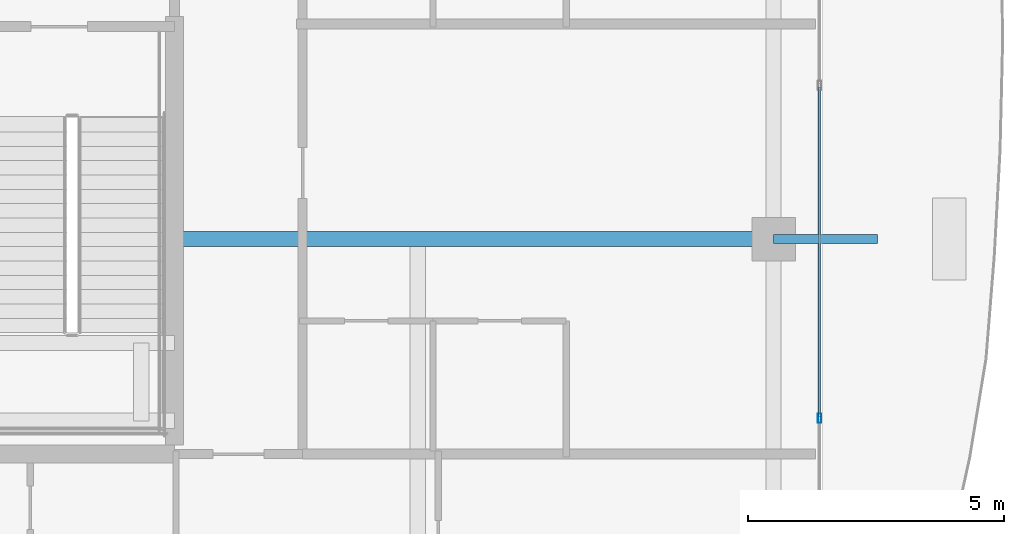
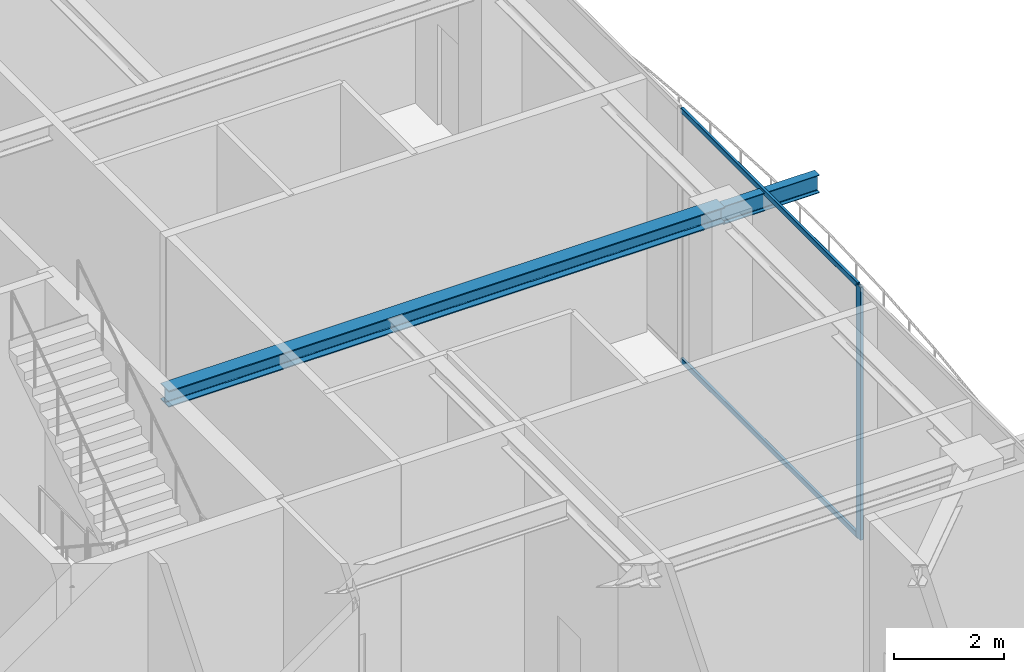
# One storey, part 16 of 40: 3 members, 2 beams, 1 element without a shape of its own.
"""IFC4 building model written with IfcOpenShell, lengths in metres."""

import ifcopenshell
import ifcopenshell.guid

model = None  # the IFC model being written
_history = None  # IfcOwnerHistory: only IFC2X3 demands one
_inside = {}  # id of a spatial element -> (the spatial element, [elements in it])
_under = {}  # id of a project, library or spatial element -> (it, [spatial elements below it])
_declared = {}  # id of a project -> (the project, [libraries it declares])
_typed = {}  # id of a type object -> (the type object, [elements of that type])
_made_of = {}  # id of a material, layer set ... -> (it, [elements and type objects made of it])


def new_model(schema):
    """Start an empty IFC model of exactly this schema.

    Asked for "IFC4X3", IfcOpenShell would pick the latest addendum, in which some entities
    have other attributes; the version numbers below select the first issue.
    IFC2X3 requires an IfcOwnerHistory on every rooted entity: one is made here for all.
    """
    global model, _history
    if schema == "IFC4X3":
        model = ifcopenshell.file(schema_version=(4, 3, 0, 0))
    else:
        model = ifcopenshell.file(schema=schema)
    _inside.clear()
    _under.clear()
    _declared.clear()
    _typed.clear()
    _made_of.clear()
    _history = None
    if model.schema == "IFC2X3":
        org = make("IfcOrganization", Name="unknown")
        user = make(
            "IfcPersonAndOrganization",
            ThePerson=make("IfcPerson", FamilyName="unknown"),
            TheOrganization=org,
        )
        app = make(
            "IfcApplication",
            ApplicationDeveloper=org,
            Version="unknown",
            ApplicationFullName="unknown",
            ApplicationIdentifier="unknown",
        )
        _history = make(
            "IfcOwnerHistory",
            OwningUser=user,
            OwningApplication=app,
            ChangeAction="ADDED",
            CreationDate=0,
        )
    return model


def make(cls, **values):
    """One entity of the class cls with the attributes given. An attribute that is None is left unset."""
    return model.create_entity(
        cls, **{name: value for name, value in values.items() if value is not None}
    )


def rooted(cls, **values):
    """An entity with a GlobalId (a new one), such as an element, a storey or a relation."""
    return make(cls, GlobalId=ifcopenshell.guid.new(), OwnerHistory=_history, **values)


def si_unit(unit_type, name, prefix=None):
    """IfcSIUnit, for example si_unit("LENGTHUNIT", "METRE", prefix="MILLI")."""
    return make("IfcSIUnit", UnitType=unit_type, Prefix=prefix, Name=name)


def assignment(units):
    """IfcUnitAssignment: the units of a project."""
    return None if units is None else make("IfcUnitAssignment", Units=units)


def point(xyz):
    """IfcCartesianPoint."""
    return None if xyz is None else make("IfcCartesianPoint", Coordinates=xyz)


def direction(xyz):
    """IfcDirection."""
    return None if xyz is None else make("IfcDirection", DirectionRatios=xyz)


def frame(location, z_axis=None, x_axis=None):
    """IfcAxis2Placement3D, a coordinate frame: its origin and axes. An axis left out is left unset."""
    return make(
        "IfcAxis2Placement3D",
        Location=point(location),
        Axis=direction(z_axis),
        RefDirection=direction(x_axis),
    )


def frame_2d(location, x_axis=None):
    """IfcAxis2Placement2D, a coordinate frame in the plane: its origin and x axis."""
    return make(
        "IfcAxis2Placement2D", Location=point(location), RefDirection=direction(x_axis)
    )


def origin():
    """The frame at (0, 0, 0) with its axes left unset."""
    return frame((0.0, 0.0, 0.0))


def origin_2d():
    """The frame at (0, 0) in the plane with its x axis left unset."""
    return frame_2d((0.0, 0.0))


def place(relative_to, where):
    """IfcLocalPlacement: puts the frame where relative to a parent placement (None: the world)."""
    return make(
        "IfcLocalPlacement", PlacementRelTo=relative_to, RelativePlacement=where
    )


def context(
    kind, dimensions, precision=None, world=None, true_north=None, identifier=None
):
    """IfcGeometricRepresentationContext, for example the 3D "Model" context."""
    return make(
        "IfcGeometricRepresentationContext",
        ContextIdentifier=identifier,
        ContextType=kind,
        CoordinateSpaceDimension=dimensions,
        Precision=precision,
        WorldCoordinateSystem=world,
        TrueNorth=true_north,
    )


def subcontext(parent, identifier, kind, view, scale=None):
    """IfcGeometricRepresentationSubContext, for example "Body" below "Model"."""
    return make(
        "IfcGeometricRepresentationSubContext",
        ContextIdentifier=identifier,
        ContextType=kind,
        ParentContext=parent,
        TargetScale=scale,
        TargetView=view,
    )


def project(units=None, contexts=None):
    """IfcProject with its units and contexts."""
    return rooted(
        "IfcProject",
        Name="project",
        RepresentationContexts=contexts,
        UnitsInContext=assignment(units),
    )


def spatial(cls, under=None, at=None, **own):
    """A site, building, storey or space (cls), placed at a placement, below another one or the project."""
    s = rooted(cls, ObjectPlacement=at, **own)
    if under is not None:
        _under.setdefault(under.id(), (under, []))[1].append(s)
    return s


def profile(cls, at=None, kind="AREA", **sizes):
    """A parametric profile (cls). Its sizes go by their IFC names, for example OverallWidth=200.0."""
    return make(cls, ProfileType=kind, Position=at, **sizes)


def hollow_rectangle(**sizes):
    """IfcRectangleHollowProfileDef."""
    return profile("IfcRectangleHollowProfileDef", **sizes)


def i_section(**sizes):
    """IfcIShapeProfileDef."""
    return profile("IfcIShapeProfileDef", **sizes)


def extrude(swept, where, along, depth):
    """IfcExtrudedAreaSolid: the profile swept, set in the frame where, extruded along a direction by depth."""
    return make(
        "IfcExtrudedAreaSolid",
        SweptArea=swept,
        Position=where,
        ExtrudedDirection=direction(along),
        Depth=depth,
    )


def shape(context_of_items, identifier, shape_type, items):
    """IfcShapeRepresentation: the items that make up one representation, for example the "Body"."""
    return make(
        "IfcShapeRepresentation",
        ContextOfItems=context_of_items,
        RepresentationIdentifier=identifier,
        RepresentationType=shape_type,
        Items=items,
    )


def source(mapping_origin, context_of_items, identifier, shape_type, items):
    """IfcRepresentationMap: a shape defined once, which mapped items show again and again."""
    return make(
        "IfcRepresentationMap",
        MappingOrigin=mapping_origin,
        MappedRepresentation=shape(context_of_items, identifier, shape_type, items),
    )


def transform(
    local_origin,
    x_axis=None,
    y_axis=None,
    z_axis=None,
    scale=None,
    scale2=None,
    scale3=None,
    uniform=True,
):
    """IfcCartesianTransformationOperator3D, or its non-uniform kind. x_axis, y_axis, z_axis: its Axis1, 2, 3."""
    if uniform:
        return make(
            "IfcCartesianTransformationOperator3D",
            Axis1=direction(x_axis),
            Axis2=direction(y_axis),
            LocalOrigin=point(local_origin),
            Scale=scale,
            Axis3=direction(z_axis),
        )
    return make(
        "IfcCartesianTransformationOperator3DnonUniform",
        Axis1=direction(x_axis),
        Axis2=direction(y_axis),
        LocalOrigin=point(local_origin),
        Scale=scale,
        Axis3=direction(z_axis),
        Scale2=scale2,
        Scale3=scale3,
    )


def mapped(mapping_source, mapping_target):
    """IfcMappedItem: shows the shape of a source again, moved by a transform."""
    return make(
        "IfcMappedItem", MappingSource=mapping_source, MappingTarget=mapping_target
    )


def material(Name=None, Category=None):
    """IfcMaterial."""
    return make("IfcMaterial", Name=Name, Category=Category)


def layer(
    of_material, thickness, ventilated=None, Name=None, Category=None, Priority=None
):
    """IfcMaterialLayer: one layer of a wall or slab, of a material (None: an air gap)."""
    return make(
        "IfcMaterialLayer",
        Material=of_material,
        LayerThickness=thickness,
        IsVentilated=ventilated,
        Name=Name,
        Category=Category,
        Priority=Priority,
    )


def layer_set(layers, Name=None):
    """IfcMaterialLayerSet."""
    return make("IfcMaterialLayerSet", MaterialLayers=layers, LayerSetName=Name)


def material_profile(
    of_material, cross_section, Name=None, Category=None, Priority=None
):
    """IfcMaterialProfile: a cross section and its material."""
    return make(
        "IfcMaterialProfile",
        Name=Name,
        Material=of_material,
        Profile=cross_section,
        Priority=Priority,
        Category=Category,
    )


def profile_set(profiles, Name=None, composite=None):
    """IfcMaterialProfileSet."""
    return make(
        "IfcMaterialProfileSet",
        Name=Name,
        MaterialProfiles=profiles,
        CompositeProfile=composite,
    )


def made_of(thing, what):
    """Note that an element or type object is made of a material, layer set ...; save() writes the relation."""
    if what is not None:
        _made_of.setdefault(what.id(), (what, []))[1].append(thing)
    return thing


def type_object(cls, material=None, **own):
    """A type object (cls), such as IfcWallType, which elements share."""
    return made_of(rooted(cls, **own), material)


def element(
    cls,
    number,
    at=None,
    inside=None,
    cuts=None,
    type_object=None,
    material=None,
    context=None,
    identifier="Body",
    shape_type=None,
    held_by="IfcProductDefinitionShape",
    body=None,
    shapes=None,
    **own,
):
    """One element of the class cls, such as IfcWall. Its Tag is "e" and its number.

    at: its placement. inside: the storey or other place that contains it. cuts: it is an
    opening in that element (IfcRelVoidsElement). A single representation is given by context,
    identifier, shape_type and body (its items); several are given by shapes. held_by: the class
    of the entity that holds the representations. save() writes the other relations.
    """
    e = rooted(cls, Tag="e%d" % number, ObjectPlacement=at, **own)
    if body is not None:
        shapes = [shape(context, identifier, shape_type, body)]
    if shapes is not None:
        e.Representation = make(held_by, Representations=shapes)
    if inside is not None:
        _inside.setdefault(inside.id(), (inside, []))[1].append(e)
    if cuts is not None:
        rooted(
            "IfcRelVoidsElement", RelatingBuildingElement=cuts, RelatedOpeningElement=e
        )
    if type_object is not None:
        _typed.setdefault(type_object.id(), (type_object, []))[1].append(e)
    return made_of(e, material)


def aggregate(whole, parts):
    """IfcRelAggregates: a whole, such as a stair, and the parts it consists of."""
    return rooted("IfcRelAggregates", RelatingObject=whole, RelatedObjects=parts)


def save(model, path):
    """Write the relations noted so far, then the file.

    IfcRelAggregates (storeys below a building ...), IfcRelContainedInSpatialStructure (elements
    in a storey), IfcRelDefinesByType, IfcRelAssociatesMaterial and IfcRelDeclares: one each for
    every whole, place, type object, material and project.
    """
    for whole, parts in _under.values():
        aggregate(whole, parts)
    for where, things in _inside.values():
        rooted(
            "IfcRelContainedInSpatialStructure",
            RelatedElements=things,
            RelatingStructure=where,
        )
    for kind, things in _typed.values():
        rooted("IfcRelDefinesByType", RelatedObjects=things, RelatingType=kind)
    for what, things in _made_of.values():
        rooted("IfcRelAssociatesMaterial", RelatedObjects=things, RelatingMaterial=what)
    for by, libraries in _declared.values():
        rooted("IfcRelDeclares", RelatingContext=by, RelatedDefinitions=libraries)
    model.write(path)


model = new_model("IFC4")

# Units and contexts
model_context = context("Model", 3, precision=1e-05, world=origin(), true_north=direction((0.0, 1.0)))
body_context = subcontext(model_context, "Body", "Model", "MODEL_VIEW")
ifc_project = project(units=[si_unit("LENGTHUNIT", "METRE"), si_unit("AREAUNIT", "SQUARE_METRE"), si_unit("VOLUMEUNIT", "CUBIC_METRE"), si_unit("PLANEANGLEUNIT", "RADIAN"), si_unit("MASSUNIT", "GRAM", prefix="KILO")], contexts=[model_context])

# Site, building, storey
site_placement = place(None, origin())
site = spatial("IfcSite", under=ifc_project, at=site_placement, CompositionType="ELEMENT")
building_placement = place(site_placement, origin())
building = spatial("IfcBuilding", under=site, at=building_placement, Name="Serunith Strait Residences", CompositionType="ELEMENT")
storey_placement = place(building_placement, frame((0.0, 0.0, 347.949951171875)))
storey = spatial("IfcBuildingStorey", under=building, at=storey_placement, Name="L86", CompositionType="ELEMENT", Elevation=347.949951171875)

# Beams
ifc_material_1 = material(Name="Steel S355J2", Category="steel")
ifc_material_profile_1 = material_profile(ifc_material_1, i_section(OverallWidth=0.300048828125, OverallDepth=0.360107421875, WebThickness=0.012451171875, FlangeThickness=0.0224609375, FilletRadius=0.027099609375, at=origin_2d()), Name="HEB 360")
ifc_profile_set_1 = profile_set([ifc_material_profile_1], Name="Steel S355J2")
beam_type_1 = type_object("IfcBeamType", Name="BM-HEB360", PredefinedType="BEAM", material=ifc_profile_set_1)
shared_shape_1 = source(origin(), body_context, "Body", "SweptSolid", [
    extrude(i_section(OverallWidth=0.300048828125, OverallDepth=0.360107421875, WebThickness=0.012451171875, FlangeThickness=0.0224609375, FilletRadius=0.027099609375, at=origin_2d()), origin(), (0.0, 0.0, 1.0), 11.7001953125),
])
beam_1_placement = place(storey_placement, frame((41.39990234375, 21.0, 5.45703125), z_axis=(1.0, 0.0, 0.0), x_axis=(0.0, 1.0, 0.0)))
element("IfcBeam", 1, at=beam_1_placement, inside=storey, type_object=beam_type_1, Name="L86 Primary Floor Girder TC-E2", PredefinedType="BEAM", context=body_context, shape_type="MappedRepresentation", body=[
    mapped(shared_shape_1, transform((0.0, 0.0, 0.0), scale=1.0)),
])
ifc_material_profile_2 = material_profile(ifc_material_1, i_section(OverallWidth=0.179931640625, OverallDepth=0.39990234375, WebThickness=0.008544921875, FlangeThickness=0.013427734375, FilletRadius=0.02099609375, at=origin_2d()), Name="IPE 400")
ifc_profile_set_2 = profile_set([ifc_material_profile_2], Name="Steel S355J2")
beam_type_2 = type_object("IfcBeamType", Name="BM-IPE400", PredefinedType="JOIST", material=ifc_profile_set_2)
shared_shape_2 = source(origin(), body_context, "Body", "SweptSolid", [
    extrude(i_section(OverallWidth=0.179931640625, OverallDepth=0.39990234375, WebThickness=0.008544921875, FlangeThickness=0.013427734375, FilletRadius=0.02099609375, at=origin_2d()), origin(), (0.0, 0.0, 1.0), 2.02978515625),
])
beam_2_placement = place(storey_placement, frame((53.10009765625, 21.0, 5.406982421875), z_axis=(1.0, 0.0, 0.0), x_axis=(0.0, 1.0, 0.0)))
element("IfcBeam", 2, at=beam_2_placement, inside=storey, type_object=beam_type_2, Name="L87 Cantilevered Balcony Rib TC-E2", PredefinedType="JOIST", context=body_context, shape_type="MappedRepresentation", body=[
    mapped(shared_shape_2, transform((0.0, 0.0, 0.0), scale=1.0)),
])

# Curtain wall, members
ifc_material_2 = material(Name="Brushed Stainless-Silver Aluminium", Category="aluminium")
ifc_layer = layer(ifc_material_2, 0.199951171875, Name="Brushed Stainless-Silver Aluminium")
ifc_layer_set = layer_set([ifc_layer], Name="Brushed Stainless-Silver Aluminium")
curtain_wall_type = type_object("IfcCurtainWallType", Name="CW-SYS5", PredefinedType="NOTDEFINED", material=ifc_layer_set)
curtain_wall_placement = place(storey_placement, origin())
curtain_wall = element("IfcCurtainWall", 3, at=curtain_wall_placement, inside=storey, type_object=curtain_wall_type, Name="L86 E Unitised Fritted Curtain Wall", PredefinedType="NOTDEFINED")
ifc_material_profile_3 = material_profile(ifc_material_2, hollow_rectangle(XDim=0.06494140625, YDim=0.179931640625, WallThickness=0.00341796875, InnerFilletRadius=0.00537109375, OuterFilletRadius=0.0087890625, at=origin_2d()), Name="ALU 180x65x3.5")
ifc_profile_set_3 = profile_set([ifc_material_profile_3], Name="Brushed Stainless-Silver Aluminium")
member_type_1 = type_object("IfcMemberType", Name="CW-SYS5-MULL", PredefinedType="MULLION", material=ifc_profile_set_3)
shared_shape_3 = source(origin(), body_context, "Body", "SweptSolid", [
    extrude(hollow_rectangle(XDim=0.06494140625, YDim=0.179931640625, WallThickness=0.00341796875, InnerFilletRadius=0.00537109375, OuterFilletRadius=0.0087890625, at=origin_2d()), origin(), (0.0, 0.0, 1.0), 5.625),
])
member_1_placement = place(storey_placement, frame((54.0, 17.5, 0.0), z_axis=(0.0, 0.0, 1.0), x_axis=(-1.0, 0.0, 0.0)))
member_1 = element("IfcMember", 4, at=member_1_placement, type_object=member_type_1, Name="CW-5 mullion 2", PredefinedType="MULLION", context=body_context, shape_type="MappedRepresentation", body=[
    mapped(shared_shape_3, transform((0.0, 0.0, 0.0), scale=1.0)),
])
ifc_material_profile_4 = material_profile(ifc_material_2, hollow_rectangle(XDim=0.06005859375, YDim=0.1201171875, WallThickness=0.00341796875, InnerFilletRadius=0.00537109375, OuterFilletRadius=0.0087890625, at=origin_2d()), Name="ALU 120x60x3.5")
ifc_profile_set_4 = profile_set([ifc_material_profile_4], Name="Brushed Stainless-Silver Aluminium")
member_type_2 = type_object("IfcMemberType", Name="CW-SYS5-TRAN", PredefinedType="USERDEFINED", material=ifc_profile_set_4)
shared_shape_4 = source(origin(), body_context, "Body", "SweptSolid", [
    extrude(hollow_rectangle(XDim=0.06005859375, YDim=0.1201171875, WallThickness=0.00341796875, InnerFilletRadius=0.00537109375, OuterFilletRadius=0.0087890625, at=origin_2d()), origin(), (0.0, 0.0, 1.0), 6.43505859375),
])
member_2_placement = place(storey_placement, frame((54.0, 17.532470703125, 0.030029296875), z_axis=(0.0, 1.0, 0.0), x_axis=(-1.0, 0.0, 0.0)))
member_2 = element("IfcMember", 5, at=member_2_placement, type_object=member_type_2, Name="CW-5 transom 2.1", ObjectType="TRANSOM", PredefinedType="USERDEFINED", context=body_context, shape_type="MappedRepresentation", body=[
    mapped(shared_shape_4, transform((0.0, 0.0, 0.0), scale=1.0)),
])
member_3_placement = place(storey_placement, frame((54.0, 17.532470703125, 5.594970703125), z_axis=(0.0, 1.0, 0.0), x_axis=(-1.0, 0.0, 0.0)))
member_3 = element("IfcMember", 6, at=member_3_placement, type_object=member_type_2, Name="CW-5 transom 2.2", ObjectType="TRANSOM", PredefinedType="USERDEFINED", context=body_context, shape_type="MappedRepresentation", body=[
    mapped(shared_shape_4, transform((0.0, 0.0, 0.0), scale=1.0)),
])
aggregate(curtain_wall, [member_1, member_2, member_3])

save(model, "model.ifc")
